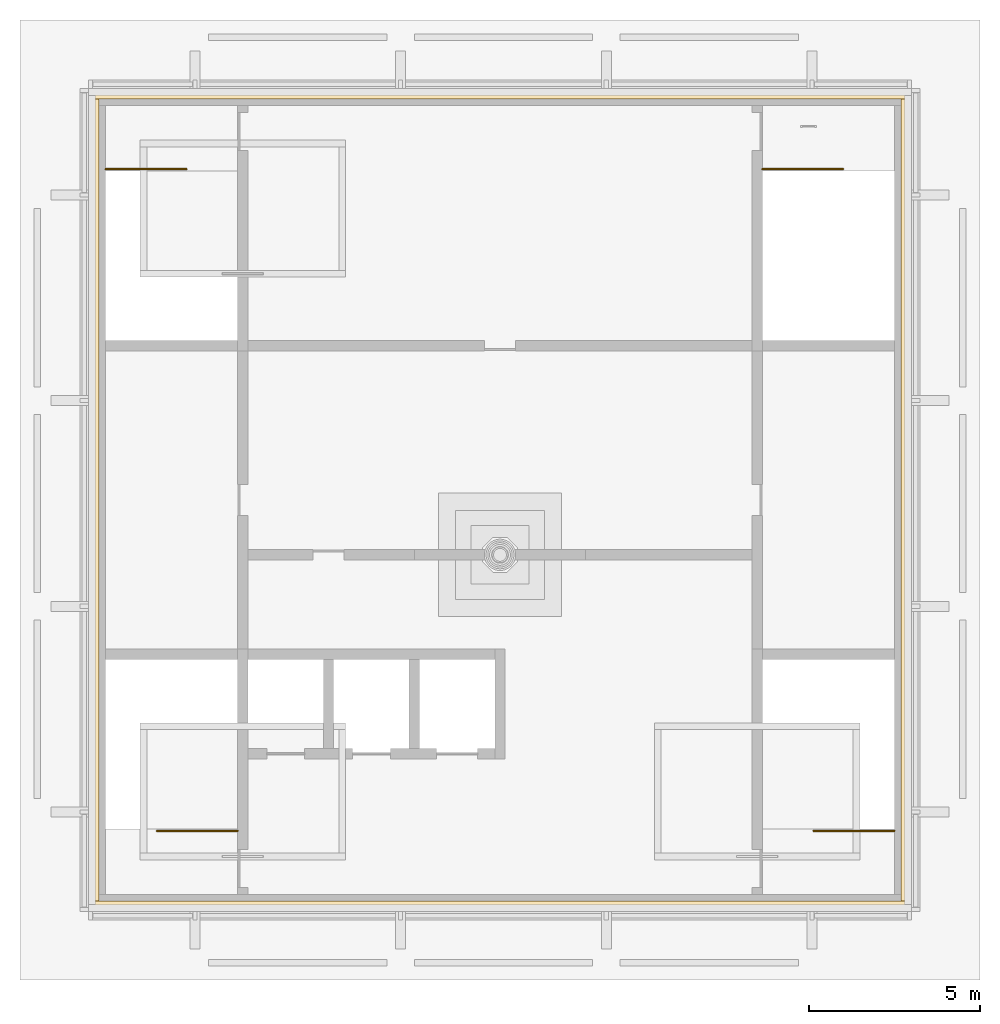
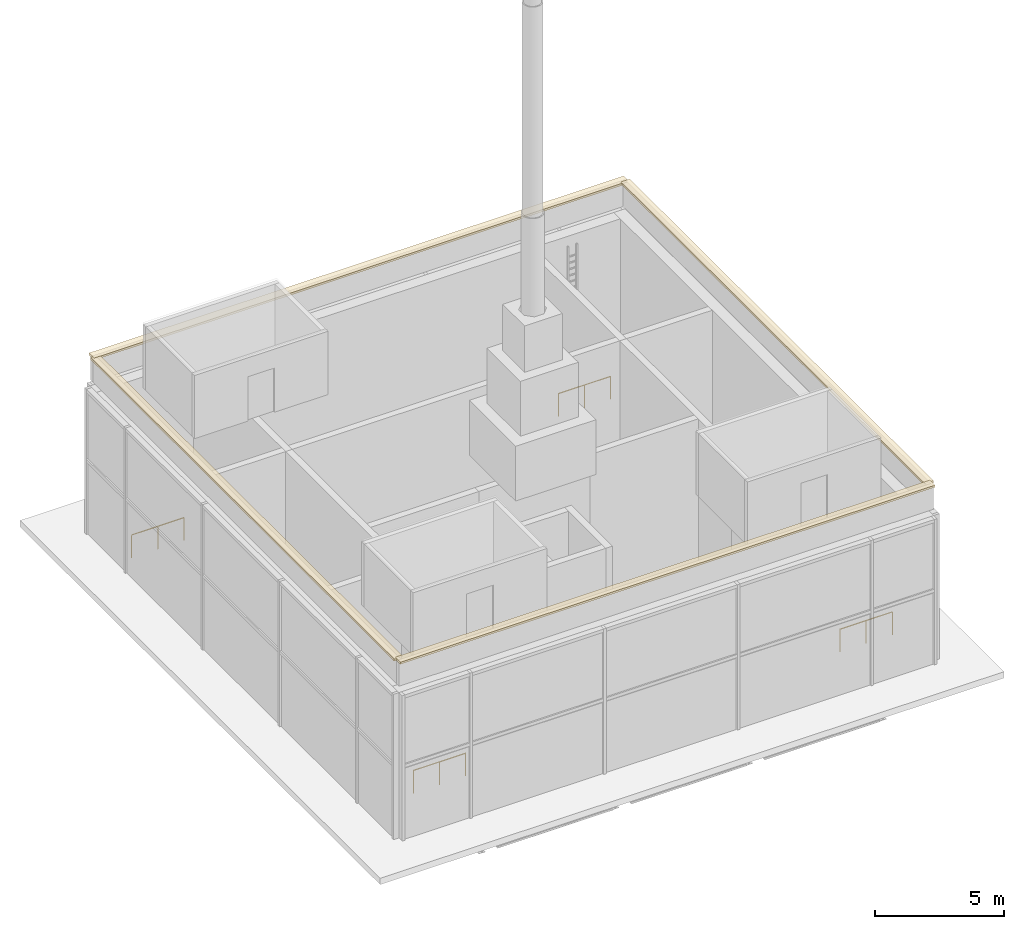
# One storey, part 8 of 8: 4 coverings, 4 railings.
"""IFC4 building model written with IfcOpenShell, lengths in metres."""

from ifc_helpers import new_model, si_unit, direction, frame, origin, origin_2d, place, context, subcontext, project, spatial, polyline, circle, outline, extrude, material, layer, layer_set, type_object, element, save


model = new_model("IFC4")

# Units and contexts
model_context = context("Model", 3, precision=1e-05, world=origin(), true_north=direction((0.0, 1.0)))
body_context = subcontext(model_context, "Body", "Model", "MODEL_VIEW")
ifc_project = project(units=[si_unit("LENGTHUNIT", "METRE"), si_unit("AREAUNIT", "SQUARE_METRE"), si_unit("VOLUMEUNIT", "CUBIC_METRE"), si_unit("PLANEANGLEUNIT", "RADIAN"), si_unit("MASSUNIT", "GRAM", prefix="KILO")], contexts=[model_context])

# Site, building, storey
site_placement = place(None, origin())
site = spatial("IfcSite", under=ifc_project, at=site_placement, CompositionType="ELEMENT")
building_placement = place(site_placement, origin())
building = spatial("IfcBuilding", under=site, at=building_placement, Name="Amberfall Residences", CompositionType="ELEMENT")
storey_placement = place(building_placement, frame((0.0, 0.0, 301.60009765625)))
storey = spatial("IfcBuildingStorey", under=building, at=storey_placement, Name="L81 Crown", CompositionType="ELEMENT", Elevation=301.60009765625)

# Coverings
ifc_material_1 = material(Name="Pale limestone coping", Category="masonry")
ifc_layer = layer(ifc_material_1, 0.10009765625)
ifc_layer_set = layer_set([ifc_layer], Name="Parapet coping 400")
covering_type = type_object("IfcCoveringType", Name="Parapet coping 400", PredefinedType="CLADDING", material=ifc_layer_set)
covering_1_placement = place(storey_placement, frame((0.0, 0.0, 8.2998046875)))
element("IfcCovering", 1, at=covering_1_placement, inside=storey, type_object=covering_type, Name="Parapet coping S", PredefinedType="CLADDING", context=body_context, shape_type="SweptSolid", body=[
    extrude(outline(polyline([(62.5, 33.39990234375), (86.5, 33.39990234375), (86.5, 33.800048828125), (62.5, 33.800048828125), (62.5, 33.39990234375)])), origin(), (0.0, 0.0, 1.0), 0.10009765625),
])
covering_2_placement = place(storey_placement, frame((0.0, 0.0, 8.2998046875)))
element("IfcCovering", 2, at=covering_2_placement, inside=storey, type_object=covering_type, Name="Parapet coping N", PredefinedType="CLADDING", context=body_context, shape_type="SweptSolid", body=[
    extrude(outline(polyline([(62.5, 57.199951171875), (86.5, 57.199951171875), (86.5, 57.60009765625), (62.5, 57.60009765625), (62.5, 57.199951171875)])), origin(), (0.0, 0.0, 1.0), 0.10009765625),
])
covering_3_placement = place(storey_placement, frame((0.0, 0.0, 8.2998046875)))
element("IfcCovering", 3, at=covering_3_placement, inside=storey, type_object=covering_type, Name="Parapet coping W", PredefinedType="CLADDING", context=body_context, shape_type="SweptSolid", body=[
    extrude(outline(polyline([(62.39990234375, 33.699951171875), (62.800048828125, 33.699951171875), (62.800048828125, 57.300048828125), (62.39990234375, 57.300048828125), (62.39990234375, 33.699951171875)])), origin(), (0.0, 0.0, 1.0), 0.10009765625),
])
covering_4_placement = place(storey_placement, frame((0.0, 0.0, 8.2998046875)))
element("IfcCovering", 4, at=covering_4_placement, inside=storey, type_object=covering_type, Name="Parapet coping E", PredefinedType="CLADDING", context=body_context, shape_type="SweptSolid", body=[
    extrude(outline(polyline([(86.199951171875, 33.699951171875), (86.60009765625, 33.699951171875), (86.60009765625, 57.300048828125), (86.199951171875, 57.300048828125), (86.199951171875, 33.699951171875)])), origin(), (0.0, 0.0, 1.0), 0.10009765625),
])

# Railings
ifc_material_2 = material(Name="Stainless steel 316", Category="steel")
railing_type = type_object("IfcRailingType", Name="Stair guard 1100", PredefinedType="GUARDRAIL", material=ifc_material_2)
for number, where, name in (
    (5, (66.85009765625, 35.85009765625, 0.0), "L81 Crown stair 1 top guard 1"),
    (6, (86.0, 35.85009765625, 0.0), "L81 Crown stair 2 top guard 1"),
):
    element("IfcRailing", number, at=place(storey_placement, frame(where)), inside=storey, type_object=railing_type, Name=name, PredefinedType="GUARDRAIL", context=body_context, shape_type="SweptSolid", body=[
        extrude(circle(Radius=0.02392578125, at=origin_2d()), frame((0.0, 0.0, 1.076171875), z_axis=(-1.0, 0.0, 0.0), x_axis=(0.0, -1.0, 0.0)), (0.0, 0.0, 1.0), 2.35009765625),
        extrude(circle(Radius=0.02099609375, at=origin_2d()), origin(), (0.0, 0.0, 1.0), 1.052001953125),
        extrude(circle(Radius=0.02099609375, at=origin_2d()), frame((-1.175048828125, 0.0, 0.0)), (0.0, 0.0, 1.0), 1.052001953125),
        extrude(circle(Radius=0.02099609375, at=origin_2d()), frame((-2.35009765625, 0.0, 0.0)), (0.0, 0.0, 1.0), 1.052001953125),
    ])
for number, where, name in (
    (7, (82.14990234375, 55.14990234375, 0.0), "L81 Crown stair 3 top guard 1"),
    (8, (63.0, 55.14990234375, 0.0), "L81 Crown stair 4 top guard 1"),
):
    element("IfcRailing", number, at=place(storey_placement, frame(where)), inside=storey, type_object=railing_type, Name=name, PredefinedType="GUARDRAIL", context=body_context, shape_type="SweptSolid", body=[
        extrude(circle(Radius=0.02392578125, at=origin_2d()), frame((0.0, 0.0, 1.076171875), z_axis=(1.0, 0.0, 0.0), x_axis=(0.0, 1.0, 0.0)), (0.0, 0.0, 1.0), 2.35009765625),
        extrude(circle(Radius=0.02099609375, at=origin_2d()), origin(), (0.0, 0.0, 1.0), 1.052001953125),
        extrude(circle(Radius=0.02099609375, at=origin_2d()), frame((1.175048828125, 0.0, 0.0)), (0.0, 0.0, 1.0), 1.052001953125),
        extrude(circle(Radius=0.02099609375, at=origin_2d()), frame((2.35009765625, 0.0, 0.0)), (0.0, 0.0, 1.0), 1.052001953125),
    ])

save(model, "model.ifc")
